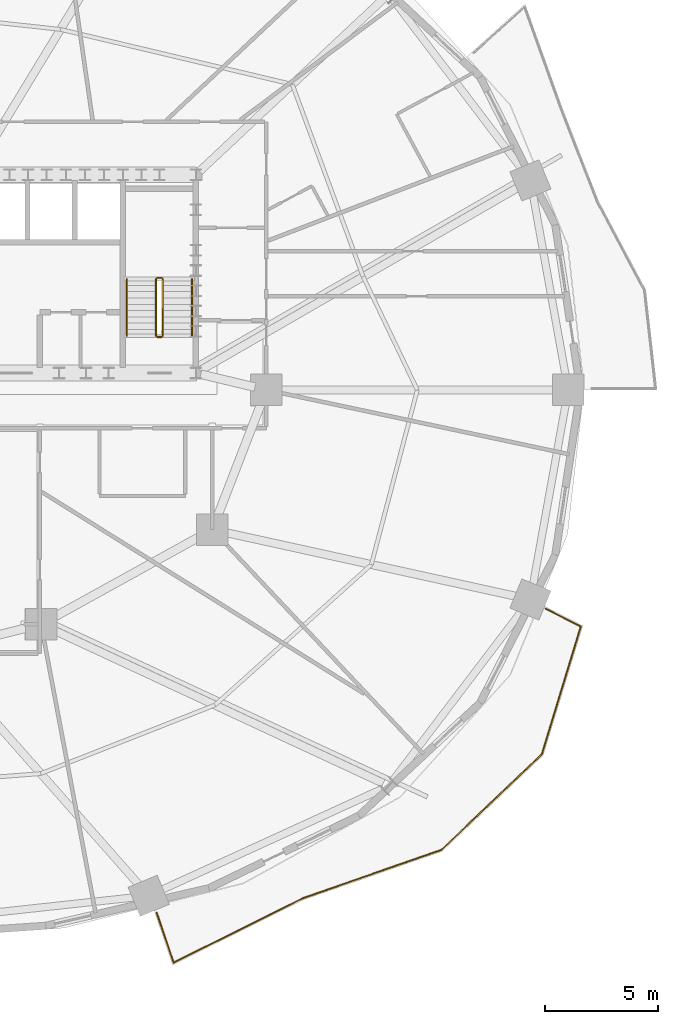
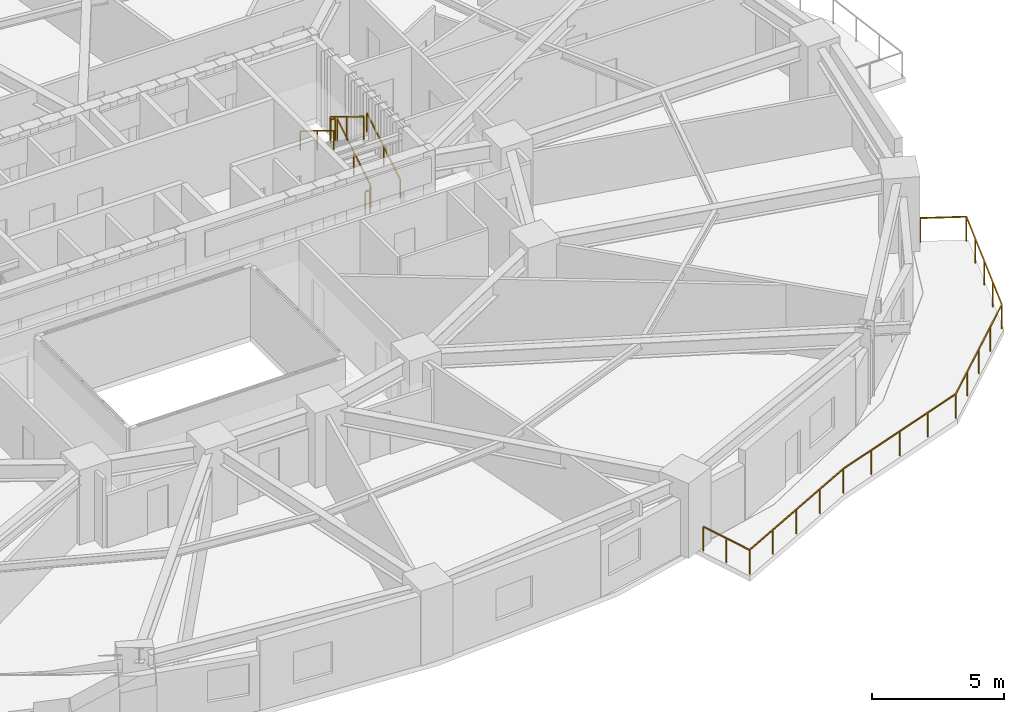
# One storey, part 16 of 17: 7 railings.
"""IFC4 building model written with IfcOpenShell, lengths in metres."""

from ifc_helpers import new_model, si_unit, direction, frame, origin, origin_2d, place, context, subcontext, project, spatial, rectangle, extrude, material, type_object, element, save


model = new_model("IFC4")

# Units and contexts
model_context = context("Model", 3, precision=1e-05, world=origin(), true_north=direction((0.0, 1.0)))
body_context = subcontext(model_context, "Body", "Model", "MODEL_VIEW")
ifc_project = project(units=[si_unit("LENGTHUNIT", "METRE"), si_unit("AREAUNIT", "SQUARE_METRE"), si_unit("VOLUMEUNIT", "CUBIC_METRE"), si_unit("PLANEANGLEUNIT", "RADIAN"), si_unit("MASSUNIT", "GRAM", prefix="KILO")], contexts=[model_context])

# Site, building, storey
site_placement = place(None, origin())
site = spatial("IfcSite", under=ifc_project, at=site_placement, CompositionType="ELEMENT")
building_placement = place(site_placement, origin())
building = spatial("IfcBuilding", under=site, at=building_placement, Name="Haldorwick Loom Tower", CompositionType="ELEMENT")
storey_placement = place(building_placement, frame((0.0, 0.0, 27.449951171875)))
storey = spatial("IfcBuildingStorey", under=building, at=storey_placement, Name="L06", CompositionType="ELEMENT", Elevation=27.449951171875)

# Railings
ifc_material_1 = material(Name="Galvanized Steel CSA G40.21 350W", Category="steel")
railing_type_1 = type_object("IfcRailingType", Name="ARC-RLG-BAL115", PredefinedType="BALUSTRADE", material=ifc_material_1)
railing_1_placement = place(storey_placement, frame((65.593994140625, 16.29150390625, 0.0)))
element("IfcRailing", 1, at=railing_1_placement, inside=storey, type_object=railing_type_1, Name="L06 Outdoor Terrace Guardrail SLB-L06-BAL_SE-1", PredefinedType="BALUSTRADE", context=body_context, shape_type="SweptSolid", body=[
    extrude(rectangle(XDim=0.048095703125, YDim=0.048095703125, at=origin_2d()), frame((0.0, 0.0, 1.1259765625), z_axis=(0.891307713143, -0.453398897761, 0.0), x_axis=(0.453398897761, 0.891307713143, 0.0)), (0.0, 0.0, 1.0), 1.74951171875),
    extrude(rectangle(XDim=0.048095703125, YDim=0.048095703125, at=origin_2d()), frame((1.559326171875, -0.793212890625, 1.1259765625), z_axis=(-0.292158928936, -0.956369782167, 0.0), x_axis=(0.956369782167, -0.292158928936, 0.0)), (0.0, 0.0, 1.0), 5.931396484375),
    extrude(rectangle(XDim=0.048095703125, YDim=0.048095703125, at=origin_2d()), frame((-0.173583984375, -6.4658203125, 1.1259765625), z_axis=(-0.724642252261, -0.689125247134, 0.0), x_axis=(0.689125247134, -0.724642252261, 0.0)), (0.0, 0.0, 1.0), 6.145263671875),
    extrude(rectangle(XDim=0.048095703125, YDim=0.048095703125, at=origin_2d()), frame((-4.626708984375, -10.70068359375, 1.1259765625), z_axis=(-0.944070435486, -0.329743859444, 0.0), x_axis=(0.329743859444, -0.944070435486, 0.0)), (0.0, 0.0, 1.0), 6.5087890625),
    extrude(rectangle(XDim=0.048095703125, YDim=0.048095703125, at=origin_2d()), frame((-10.771484375, -12.846923828125, 1.1259765625), z_axis=(-0.925168618375, -0.379556356256, 0.0), x_axis=(0.379556356256, -0.925168618375, 0.0)), (0.0, 0.0, 1.0), 0.01025390625),
    extrude(rectangle(XDim=0.048095703125, YDim=0.048095703125, at=origin_2d()), frame((-10.781005859375, -12.850830078125, 1.1259765625), z_axis=(-0.895074166338, -0.445917298112, 0.0), x_axis=(0.445917298112, -0.895074166338, 0.0)), (0.0, 0.0, 1.0), 6.40576171875),
    extrude(rectangle(XDim=0.048095703125, YDim=0.048095703125, at=origin_2d()), frame((-16.5146484375, -15.707275390625, 1.1259765625), z_axis=(-0.318648041884, 0.947873106171, 0.0), x_axis=(-0.947873106171, -0.318648041884, 0.0)), (0.0, 0.0, 1.0), 2.3291015625),
    extrude(rectangle(XDim=0.0419921875, YDim=0.0419921875, at=origin_2d()), origin(), (0.0, 0.0, 1.0), 1.101806640625),
    extrude(rectangle(XDim=0.0419921875, YDim=0.0419921875, at=origin_2d()), frame((1.559326171875, -0.793212890625, 0.0)), (0.0, 0.0, 1.0), 1.101806640625),
    extrude(rectangle(XDim=0.0419921875, YDim=0.0419921875, at=origin_2d()), frame((1.1259765625, -2.21142578125, 0.0)), (0.0, 0.0, 1.0), 1.101806640625),
    extrude(rectangle(XDim=0.0419921875, YDim=0.0419921875, at=origin_2d()), frame((0.69287109375, -3.62939453125, 0.0)), (0.0, 0.0, 1.0), 1.101806640625),
    extrude(rectangle(XDim=0.0419921875, YDim=0.0419921875, at=origin_2d()), frame((0.259765625, -5.047607421875, 0.0)), (0.0, 0.0, 1.0), 1.101806640625),
    extrude(rectangle(XDim=0.0419921875, YDim=0.0419921875, at=origin_2d()), frame((-0.173583984375, -6.4658203125, 0.0)), (0.0, 0.0, 1.0), 1.101806640625),
    extrude(rectangle(XDim=0.0419921875, YDim=0.0419921875, at=origin_2d()), frame((-1.286865234375, -7.5244140625, 0.0)), (0.0, 0.0, 1.0), 1.101806640625),
    extrude(rectangle(XDim=0.0419921875, YDim=0.0419921875, at=origin_2d()), frame((-2.400146484375, -8.583251953125, 0.0)), (0.0, 0.0, 1.0), 1.101806640625),
    extrude(rectangle(XDim=0.0419921875, YDim=0.0419921875, at=origin_2d()), frame((-3.513427734375, -9.64208984375, 0.0)), (0.0, 0.0, 1.0), 1.101806640625),
    extrude(rectangle(XDim=0.0419921875, YDim=0.0419921875, at=origin_2d()), frame((-4.626708984375, -10.70068359375, 0.0)), (0.0, 0.0, 1.0), 1.101806640625),
    extrude(rectangle(XDim=0.0419921875, YDim=0.0419921875, at=origin_2d()), frame((-6.162841796875, -11.2373046875, 0.0)), (0.0, 0.0, 1.0), 1.101806640625),
    extrude(rectangle(XDim=0.0419921875, YDim=0.0419921875, at=origin_2d()), frame((-7.69921875, -11.77392578125, 0.0)), (0.0, 0.0, 1.0), 1.101806640625),
    extrude(rectangle(XDim=0.0419921875, YDim=0.0419921875, at=origin_2d()), frame((-9.2353515625, -12.310302734375, 0.0)), (0.0, 0.0, 1.0), 1.101806640625),
    extrude(rectangle(XDim=0.0419921875, YDim=0.0419921875, at=origin_2d()), frame((-10.771484375, -12.846923828125, 0.0)), (0.0, 0.0, 1.0), 1.101806640625),
    extrude(rectangle(XDim=0.0419921875, YDim=0.0419921875, at=origin_2d()), frame((-12.21435546875, -13.56494140625, 0.0)), (0.0, 0.0, 1.0), 1.101806640625),
    extrude(rectangle(XDim=0.0419921875, YDim=0.0419921875, at=origin_2d()), frame((-13.64794921875, -14.279052734375, 0.0)), (0.0, 0.0, 1.0), 1.101806640625),
    extrude(rectangle(XDim=0.0419921875, YDim=0.0419921875, at=origin_2d()), frame((-15.081298828125, -14.9931640625, 0.0)), (0.0, 0.0, 1.0), 1.101806640625),
    extrude(rectangle(XDim=0.0419921875, YDim=0.0419921875, at=origin_2d()), frame((-16.5146484375, -15.707275390625, 0.0)), (0.0, 0.0, 1.0), 1.101806640625),
    extrude(rectangle(XDim=0.0419921875, YDim=0.0419921875, at=origin_2d()), frame((-16.8857421875, -14.603515625, 0.0)), (0.0, 0.0, 1.0), 1.101806640625),
    extrude(rectangle(XDim=0.0419921875, YDim=0.0419921875, at=origin_2d()), frame((-17.2568359375, -13.49951171875, 0.0)), (0.0, 0.0, 1.0), 1.101806640625),
])
ifc_material_2 = material(Name="Steel CSA G40.21 350W", Category="steel")
railing_type_2 = type_object("IfcRailingType", Name="ARC-RLG-GUARD112", PredefinedType="GUARDRAIL", material=ifc_material_2)
railing_2_placement = place(storey_placement, frame((48.60009765625, 28.39990234375, 0.172607421875)))
element("IfcRailing", 2, at=railing_2_placement, inside=storey, type_object=railing_type_2, Name="L06 ST-02 stair guard 1", PredefinedType="GUARDRAIL", context=body_context, shape_type="SweptSolid", body=[
    extrude(rectangle(XDim=0.048095703125, YDim=0.048095703125, at=origin_2d()), frame((0.0, 0.0, 1.076171875), z_axis=(0.0, 0.851400495292, 0.524516154772), x_axis=(-1.0, 0.0, 0.0)), (0.0, 0.0, 1.0), 2.9599609375),
    extrude(rectangle(XDim=0.0419921875, YDim=0.0419921875, at=origin_2d()), origin(), (0.0, 0.0, 1.0), 1.052001953125),
    extrude(rectangle(XDim=0.0419921875, YDim=0.0419921875, at=origin_2d()), frame((0.0, 1.260009765625, 0.7763671875)), (0.0, 0.0, 1.0), 1.052001953125),
    extrude(rectangle(XDim=0.0419921875, YDim=0.0419921875, at=origin_2d()), frame((0.0, 2.52001953125, 1.552490234375)), (0.0, 0.0, 1.0), 1.052001953125),
])
railing_3_placement = place(storey_placement, frame((48.550048828125, 30.969970703125, 1.72509765625)))
element("IfcRailing", 3, at=railing_3_placement, inside=storey, type_object=railing_type_2, Name="L06 ST-02 stair guard 2", PredefinedType="GUARDRAIL", context=body_context, shape_type="SweptSolid", body=[
    extrude(rectangle(XDim=0.048095703125, YDim=0.048095703125, at=origin_2d()), frame((0.0, 0.0, 1.076171875), z_axis=(-1.0, 0.0, 0.0), x_axis=(0.0, -1.0, 0.0)), (0.0, 0.0, 1.0), 0.199951171875),
    extrude(rectangle(XDim=0.0419921875, YDim=0.0419921875, at=origin_2d()), origin(), (0.0, 0.0, 1.0), 1.052001953125),
    extrude(rectangle(XDim=0.0419921875, YDim=0.0419921875, at=origin_2d()), frame((-0.199951171875, 0.0, 0.0)), (0.0, 0.0, 1.0), 1.052001953125),
])
railing_4_placement = place(storey_placement, frame((48.300048828125, 30.919921875, 1.8974609375)))
element("IfcRailing", 4, at=railing_4_placement, inside=storey, type_object=railing_type_2, Name="L06 ST-02 stair guard 3", PredefinedType="GUARDRAIL", context=body_context, shape_type="SweptSolid", body=[
    extrude(rectangle(XDim=0.048095703125, YDim=0.048095703125, at=origin_2d()), frame((0.0, 0.0, 1.076171875), z_axis=(0.0, -0.851400495292, 0.524516154772), x_axis=(1.0, 0.0, 0.0)), (0.0, 0.0, 1.0), 2.9599609375),
    extrude(rectangle(XDim=0.0419921875, YDim=0.0419921875, at=origin_2d()), origin(), (0.0, 0.0, 1.0), 1.052001953125),
    extrude(rectangle(XDim=0.0419921875, YDim=0.0419921875, at=origin_2d()), frame((0.0, -1.260009765625, 0.7763671875)), (0.0, 0.0, 1.0), 1.052001953125),
    extrude(rectangle(XDim=0.0419921875, YDim=0.0419921875, at=origin_2d()), frame((0.0, -2.52001953125, 1.552490234375)), (0.0, 0.0, 1.0), 1.052001953125),
])
railing_5_placement = place(storey_placement, frame((48.550048828125, 28.35009765625, 0.0)))
element("IfcRailing", 5, at=railing_5_placement, inside=storey, type_object=railing_type_2, Name="L06 ST-02 stair guard 4", PredefinedType="GUARDRAIL", context=body_context, shape_type="SweptSolid", body=[
    extrude(rectangle(XDim=0.048095703125, YDim=0.048095703125, at=origin_2d()), frame((0.0, 0.0, 1.076171875), z_axis=(-1.0, 0.0, 0.0), x_axis=(0.0, -1.0, 0.0)), (0.0, 0.0, 1.0), 0.199951171875),
    extrude(rectangle(XDim=0.0419921875, YDim=0.0419921875, at=origin_2d()), origin(), (0.0, 0.0, 1.0), 1.052001953125),
    extrude(rectangle(XDim=0.0419921875, YDim=0.0419921875, at=origin_2d()), frame((-0.199951171875, 0.0, 0.0)), (0.0, 0.0, 1.0), 1.052001953125),
])
railing_type_3 = type_object("IfcRailingType", Name="ARC-RLG-HAND092", PredefinedType="HANDRAIL", material=ifc_material_2)
railing_6_placement = place(storey_placement, frame((49.89990234375, 28.39990234375, 0.172607421875)))
element("IfcRailing", 6, at=railing_6_placement, inside=storey, type_object=railing_type_3, Name="L06 ST-02 stair handrail 1", PredefinedType="HANDRAIL", context=body_context, shape_type="SweptSolid", body=[
    extrude(rectangle(XDim=0.048095703125, YDim=0.048095703125, at=origin_2d()), frame((0.0, 0.0, 0.8759765625), z_axis=(0.0, 0.851400495292, 0.524516154772), x_axis=(-1.0, 0.0, 0.0)), (0.0, 0.0, 1.0), 2.9599609375),
    extrude(rectangle(XDim=0.0419921875, YDim=0.0419921875, at=origin_2d()), origin(), (0.0, 0.0, 1.0), 0.851806640625),
    extrude(rectangle(XDim=0.0419921875, YDim=0.0419921875, at=origin_2d()), frame((0.0, 1.260009765625, 0.7763671875)), (0.0, 0.0, 1.0), 0.851806640625),
    extrude(rectangle(XDim=0.0419921875, YDim=0.0419921875, at=origin_2d()), frame((0.0, 2.52001953125, 1.552490234375)), (0.0, 0.0, 1.0), 0.851806640625),
])
railing_7_placement = place(storey_placement, frame((47.0, 30.919921875, 1.8974609375)))
element("IfcRailing", 7, at=railing_7_placement, inside=storey, type_object=railing_type_3, Name="L06 ST-02 stair handrail 2", PredefinedType="HANDRAIL", context=body_context, shape_type="SweptSolid", body=[
    extrude(rectangle(XDim=0.048095703125, YDim=0.048095703125, at=origin_2d()), frame((0.0, 0.0, 0.8759765625), z_axis=(0.0, -0.851400495292, 0.524516154772), x_axis=(1.0, 0.0, 0.0)), (0.0, 0.0, 1.0), 2.9599609375),
    extrude(rectangle(XDim=0.0419921875, YDim=0.0419921875, at=origin_2d()), origin(), (0.0, 0.0, 1.0), 0.851806640625),
    extrude(rectangle(XDim=0.0419921875, YDim=0.0419921875, at=origin_2d()), frame((0.0, -1.260009765625, 0.7763671875)), (0.0, 0.0, 1.0), 0.851806640625),
    extrude(rectangle(XDim=0.0419921875, YDim=0.0419921875, at=origin_2d()), frame((0.0, -2.52001953125, 1.552490234375)), (0.0, 0.0, 1.0), 0.851806640625),
])

save(model, "model.ifc")
